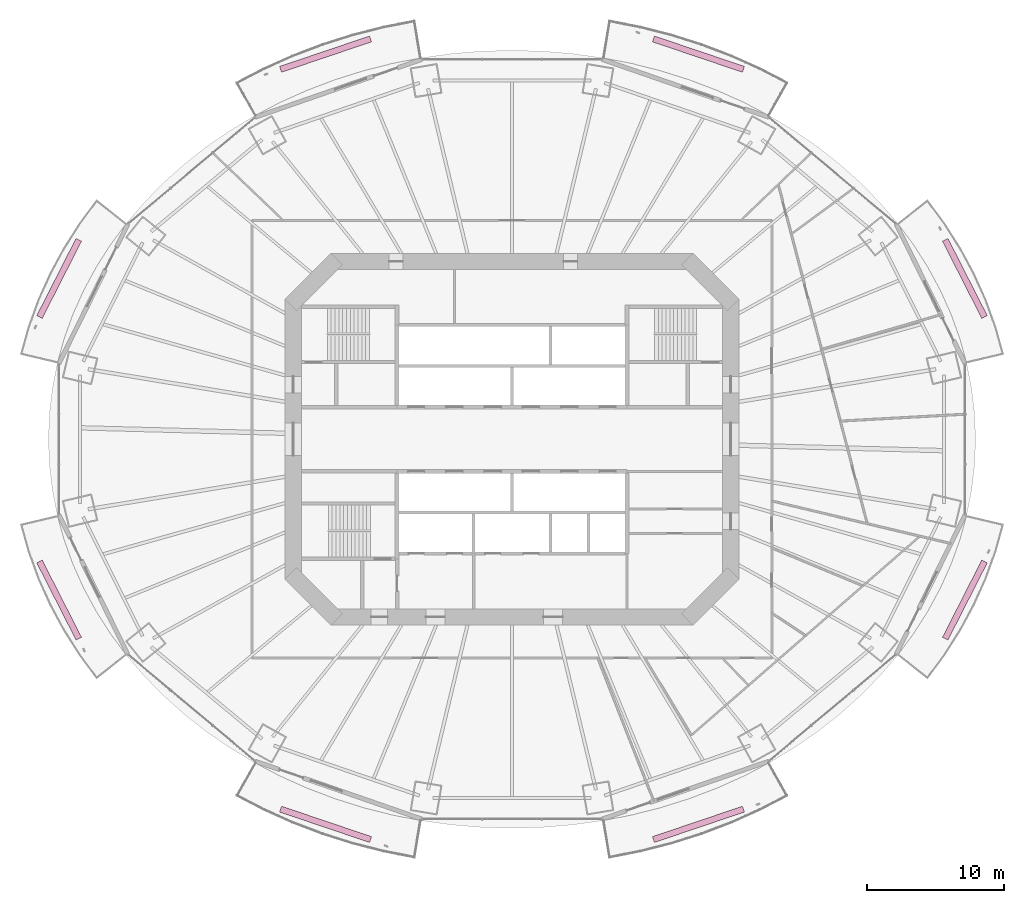
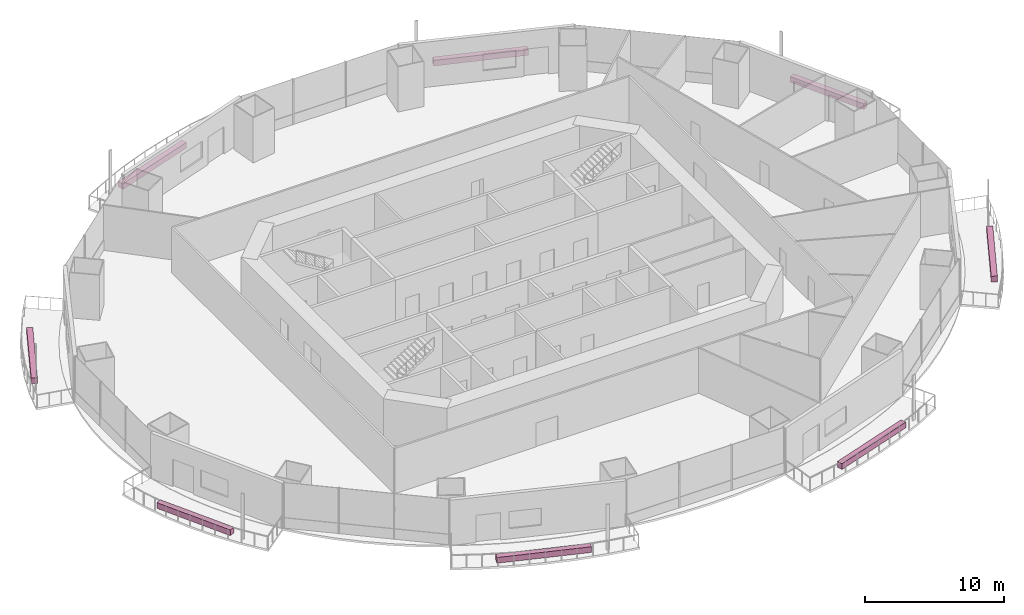
# One storey, part 21 of 21: 8 furnishings.
"""IFC4 building model written with IfcOpenShell, lengths in metres."""

from ifc_helpers import new_model, si_unit, direction, frame, origin, origin_2d, place, context, subcontext, project, spatial, rectangle, extrude, material, type_object, element, save


model = new_model("IFC4")

# Units and contexts
model_context = context("Model", 3, precision=1e-05, world=origin(), true_north=direction((0.0, 1.0)))
body_context = subcontext(model_context, "Body", "Model", "MODEL_VIEW")
ifc_project = project(units=[si_unit("LENGTHUNIT", "METRE"), si_unit("AREAUNIT", "SQUARE_METRE"), si_unit("VOLUMEUNIT", "CUBIC_METRE"), si_unit("PLANEANGLEUNIT", "RADIAN"), si_unit("MASSUNIT", "GRAM", prefix="KILO")], contexts=[model_context])

# Site, building, storey
site_placement = place(None, origin())
site = spatial("IfcSite", under=ifc_project, at=site_placement, CompositionType="ELEMENT")
building_placement = place(site_placement, origin())
building = spatial("IfcBuilding", under=site, at=building_placement, Name="Marenthal Gate Tower", CompositionType="ELEMENT")
storey_placement = place(building_placement, frame((0.0, 0.0, 128.449951171875)))
storey = spatial("IfcBuildingStorey", under=building, at=storey_placement, Name="L27", CompositionType="ELEMENT", Elevation=128.449951171875)

# Furnishings
ifc_material = material(Name="Planting soil and foliage", Category="planting")
furnishing_element_type = type_object("IfcFurnishingElementType", Name="Balcony PLANTER trough", material=ifc_material)
furnishing_1_placement = place(storey_placement, frame((33.116455078125, 11.7587890625, -0.0400390625), z_axis=(0.0, 0.0, 1.0), x_axis=(-0.453748760928, 0.891129654964, 0.0)))
element("IfcFurnishingElement", 1, at=furnishing_1_placement, inside=storey, type_object=furnishing_element_type, Name="Balcony PLANTER L27 bay 1", ObjectType="PLANTER", context=body_context, shape_type="SweptSolid", body=[
    extrude(rectangle(XDim=6.327880859375, YDim=0.449951171875, at=origin_2d()), origin(), (0.0, 0.0, 1.0), 0.5),
])
for number, where, z_axis, x_axis, name in (
    (2, (13.6357421875, 28.1591796875, -0.0400390625), (0.0, 0.0, 1.0), (-0.947328885127, 0.320262366513, 0.0), "Balcony PLANTER L27 bay 3"),
    (3, (-13.6357421875, 28.1591796875, -0.0400390625), (0.0, 0.0, 1.0), (-0.947328885127, -0.320262366513, 0.0), "Balcony PLANTER L27 bay 5"),
):
    element("IfcFurnishingElement", number, at=place(storey_placement, frame(where, z_axis=z_axis, x_axis=x_axis)), inside=storey, type_object=furnishing_element_type, Name=name, ObjectType="PLANTER", context=body_context, shape_type="SweptSolid", body=[
        extrude(rectangle(XDim=6.95068359375, YDim=0.449951171875, at=origin_2d()), origin(), (0.0, 0.0, 1.0), 0.5),
    ])
for number, where, z_axis, x_axis, name in (
    (4, (-33.116455078125, 11.7587890625, -0.0400390625), (0.0, 0.0, 1.0), (-0.453748760928, -0.891129654964, 0.0), "Balcony PLANTER L27 bay 7"),
    (5, (-33.116455078125, -11.7587890625, -0.0400390625), (0.0, 0.0, 1.0), (0.453748760928, -0.891129654964, 0.0), "Balcony PLANTER L27 bay 9"),
):
    element("IfcFurnishingElement", number, at=place(storey_placement, frame(where, z_axis=z_axis, x_axis=x_axis)), inside=storey, type_object=furnishing_element_type, Name=name, ObjectType="PLANTER", context=body_context, shape_type="SweptSolid", body=[
        extrude(rectangle(XDim=6.327880859375, YDim=0.449951171875, at=origin_2d()), origin(), (0.0, 0.0, 1.0), 0.5),
    ])
for number, where, z_axis, x_axis, name in (
    (6, (-13.6357421875, -28.1591796875, -0.0400390625), (0.0, 0.0, 1.0), (0.947328885127, -0.320262366513, 0.0), "Balcony PLANTER L27 bay 11"),
    (7, (13.6357421875, -28.1591796875, -0.0400390625), (0.0, 0.0, 1.0), (0.947328885127, 0.320262366513, 0.0), "Balcony PLANTER L27 bay 13"),
):
    element("IfcFurnishingElement", number, at=place(storey_placement, frame(where, z_axis=z_axis, x_axis=x_axis)), inside=storey, type_object=furnishing_element_type, Name=name, ObjectType="PLANTER", context=body_context, shape_type="SweptSolid", body=[
        extrude(rectangle(XDim=6.95068359375, YDim=0.449951171875, at=origin_2d()), origin(), (0.0, 0.0, 1.0), 0.5),
    ])
furnishing_2_placement = place(storey_placement, frame((33.116455078125, -11.7587890625, -0.0400390625), z_axis=(0.0, 0.0, 1.0), x_axis=(0.453748760928, 0.891129654964, 0.0)))
element("IfcFurnishingElement", 8, at=furnishing_2_placement, inside=storey, type_object=furnishing_element_type, Name="Balcony PLANTER L27 bay 15", ObjectType="PLANTER", context=body_context, shape_type="SweptSolid", body=[
    extrude(rectangle(XDim=6.327880859375, YDim=0.449951171875, at=origin_2d()), origin(), (0.0, 0.0, 1.0), 0.5),
])

save(model, "model.ifc")
